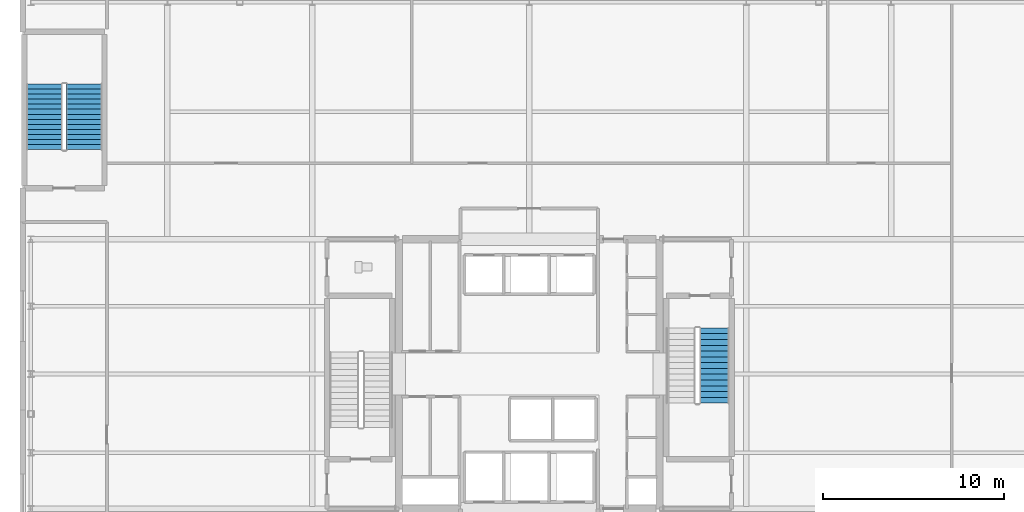
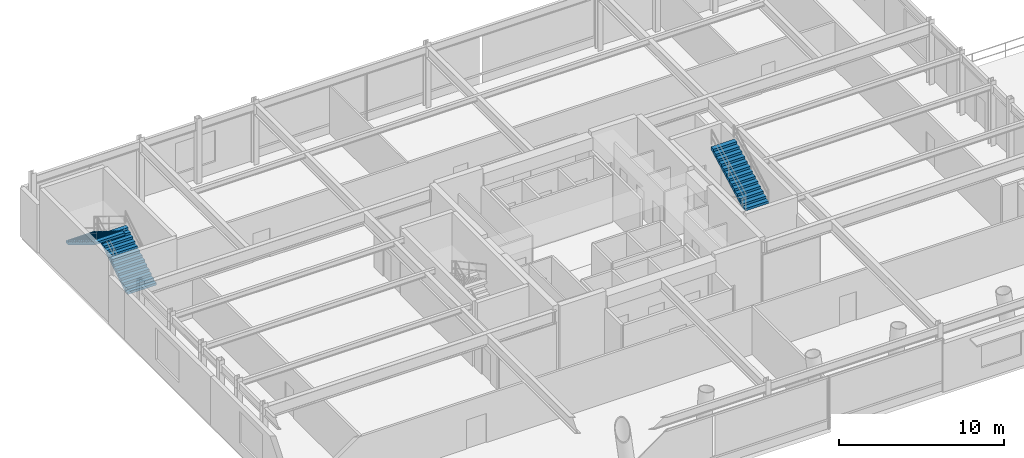
# One storey, part 18 of 22: 3 stair flights, 2 elements without a shape of their own.
"""IFC4 building model written with IfcOpenShell, lengths in metres."""

from ifc_helpers import new_model, si_unit, direction, frame, origin, place, context, subcontext, project, spatial, polyline, outline, extrude, material, type_object, element, aggregate, save


model = new_model("IFC4")

# Units and contexts
model_context = context("Model", 3, precision=1e-05, world=origin(), true_north=direction((0.0, 1.0)))
body_context = subcontext(model_context, "Body", "Model", "MODEL_VIEW")
ifc_project = project(units=[si_unit("LENGTHUNIT", "METRE"), si_unit("AREAUNIT", "SQUARE_METRE"), si_unit("VOLUMEUNIT", "CUBIC_METRE"), si_unit("PLANEANGLEUNIT", "RADIAN"), si_unit("MASSUNIT", "GRAM", prefix="KILO")], contexts=[model_context])

# Site, building, storey
site_placement = place(None, origin())
site = spatial("IfcSite", under=ifc_project, at=site_placement, CompositionType="ELEMENT")
building_placement = place(site_placement, origin())
building = spatial("IfcBuilding", under=site, at=building_placement, Name="Veldorina Hangang Commons", CompositionType="ELEMENT")
storey_placement = place(building_placement, frame((0.0, 0.0, 14.800048828125)))
storey = spatial("IfcBuildingStorey", under=building, at=storey_placement, Name="L03", CompositionType="ELEMENT", Elevation=14.800048828125)

# Stair, stair flight
ifc_material = material(Name="Concrete C40/50", Category="concrete")
stair_type_1 = type_object("IfcStairType", Name="STR-DOG-1650-28R", PredefinedType="HALF_TURN_STAIR", material=ifc_material)
stair_1_placement = place(storey_placement, origin())
stair_1 = element("IfcStair", 1, at=stair_1_placement, inside=storey, type_object=stair_type_1, Name="L03 Exit stair ST-2", PredefinedType="HALF_TURN_STAIR")
stair_flight_type_1 = type_object("IfcStairFlightType", Name="SFL-STR-1650-28R", PredefinedType="STRAIGHT", material=ifc_material)
stair_flight_1_placement = place(storey_placement, frame((42.22509765625, 22.389892578125, 2.39990234375), z_axis=(0.0, 0.0, 1.0), x_axis=(0.0, 1.0, 0.0)))
stair_flight_1 = element("IfcStairFlight", 2, at=stair_flight_1_placement, type_object=stair_flight_type_1, Name="ST-2 flight 2", NumberOfRisers=14, NumberOfTreads=13, PredefinedType="STRAIGHT", RiserHeight=0.171428571, TreadLength=0.32, context=body_context, shape_type="SweptSolid", body=[
    extrude(outline(polyline([(0.0, 0.0), (0.0, 0.17138671875), (0.320068359375, 0.17138671875), (0.320068359375, 0.3427734375), (0.639892578125, 0.3427734375), (0.639892578125, 0.514404296875), (0.9599609375, 0.514404296875), (0.9599609375, 0.685791015625), (1.280029296875, 0.685791015625), (1.280029296875, 0.857177734375), (1.60009765625, 0.857177734375), (1.60009765625, 1.028564453125), (1.919921875, 1.028564453125), (1.919921875, 1.199951171875), (2.239990234375, 1.199951171875), (2.239990234375, 1.371337890625), (2.56005859375, 1.371337890625), (2.56005859375, 1.54296875), (2.8798828125, 1.54296875), (2.8798828125, 1.71435546875), (3.199951171875, 1.71435546875), (3.199951171875, 1.8857421875), (3.52001953125, 1.8857421875), (3.52001953125, 2.05712890625), (3.840087890625, 2.05712890625), (3.840087890625, 2.228515625), (4.159912109375, 2.228515625), (4.159912109375, 2.39990234375), (4.159912109375, 2.05859375), (0.3173828125, 0.0), (0.0, 0.0)])), frame((0.0, 0.824951171875, 0.0), z_axis=(0.0, -1.0, 0.0), x_axis=(1.0, 0.0, 0.0)), (0.0, 0.0, 1.0), 1.64990234375),
])
aggregate(stair_1, [stair_flight_1])

# Stair, stair flights
stair_type_2 = type_object("IfcStairType", Name="STR-DOG-2000-28R", PredefinedType="HALF_TURN_STAIR", material=ifc_material)
stair_2_placement = place(storey_placement, origin())
stair_2 = element("IfcStair", 3, at=stair_2_placement, inside=storey, type_object=stair_type_2, Name="L03 Exit stair ST-P1", PredefinedType="HALF_TURN_STAIR")
stair_flight_type_2 = type_object("IfcStairFlightType", Name="SFL-STR-2000-28R", PredefinedType="STRAIGHT", material=ifc_material)
stair_flight_2_placement = place(storey_placement, frame((7.39990234375, 36.39990234375, 0.0), z_axis=(0.0, 0.0, 1.0), x_axis=(0.0, 1.0, 0.0)))
stair_flight_2 = element("IfcStairFlight", 4, at=stair_flight_2_placement, type_object=stair_flight_type_2, Name="ST-P1 flight 1", NumberOfRisers=14, NumberOfTreads=13, PredefinedType="STRAIGHT", RiserHeight=0.171428571, TreadLength=0.28, context=body_context, shape_type="SweptSolid", body=[
    extrude(outline(polyline([(0.0, 0.0), (0.0, 0.17138671875), (0.280029296875, 0.17138671875), (0.280029296875, 0.3427734375), (0.56005859375, 0.3427734375), (0.56005859375, 0.514404296875), (0.840087890625, 0.514404296875), (0.840087890625, 0.685791015625), (1.1201171875, 0.685791015625), (1.1201171875, 0.857177734375), (1.39990234375, 0.857177734375), (1.39990234375, 1.028564453125), (1.679931640625, 1.028564453125), (1.679931640625, 1.199951171875), (1.9599609375, 1.199951171875), (1.9599609375, 1.371337890625), (2.239990234375, 1.371337890625), (2.239990234375, 1.54296875), (2.52001953125, 1.54296875), (2.52001953125, 1.71435546875), (2.800048828125, 1.71435546875), (2.800048828125, 1.8857421875), (3.080078125, 1.8857421875), (3.080078125, 2.05712890625), (3.360107421875, 2.05712890625), (3.360107421875, 2.228515625), (3.639892578125, 2.228515625), (3.639892578125, 2.39990234375), (3.639892578125, 2.052734375), (0.287109375, 0.0), (0.0, 0.0)])), frame((0.0, 1.0, 0.0), z_axis=(0.0, -1.0, 0.0), x_axis=(1.0, 0.0, 0.0)), (0.0, 0.0, 1.0), 2.0),
])
stair_flight_3_placement = place(storey_placement, frame((5.199951171875, 40.0400390625, 2.39990234375), z_axis=(0.0, 0.0, 1.0), x_axis=(0.0, -1.0, 0.0)))
stair_flight_3 = element("IfcStairFlight", 5, at=stair_flight_3_placement, type_object=stair_flight_type_2, Name="ST-P1 flight 2", NumberOfRisers=14, NumberOfTreads=13, PredefinedType="STRAIGHT", RiserHeight=0.171428571, TreadLength=0.28, context=body_context, shape_type="SweptSolid", body=[
    extrude(outline(polyline([(0.0, 0.0), (0.0, 0.17138671875), (0.280029296875, 0.17138671875), (0.280029296875, 0.3427734375), (0.56005859375, 0.3427734375), (0.56005859375, 0.514404296875), (0.840087890625, 0.514404296875), (0.840087890625, 0.685791015625), (1.1201171875, 0.685791015625), (1.1201171875, 0.857177734375), (1.39990234375, 0.857177734375), (1.39990234375, 1.028564453125), (1.679931640625, 1.028564453125), (1.679931640625, 1.199951171875), (1.9599609375, 1.199951171875), (1.9599609375, 1.371337890625), (2.239990234375, 1.371337890625), (2.239990234375, 1.54296875), (2.52001953125, 1.54296875), (2.52001953125, 1.71435546875), (2.800048828125, 1.71435546875), (2.800048828125, 1.8857421875), (3.080078125, 1.8857421875), (3.080078125, 2.05712890625), (3.360107421875, 2.05712890625), (3.360107421875, 2.228515625), (3.639892578125, 2.228515625), (3.639892578125, 2.39990234375), (3.639892578125, 2.052734375), (0.287109375, 0.0), (0.0, 0.0)])), frame((0.0, 1.0, 0.0), z_axis=(0.0, -1.0, 0.0), x_axis=(1.0, 0.0, 0.0)), (0.0, 0.0, 1.0), 2.0),
])
aggregate(stair_2, [stair_flight_2, stair_flight_3])

save(model, "model.ifc")
